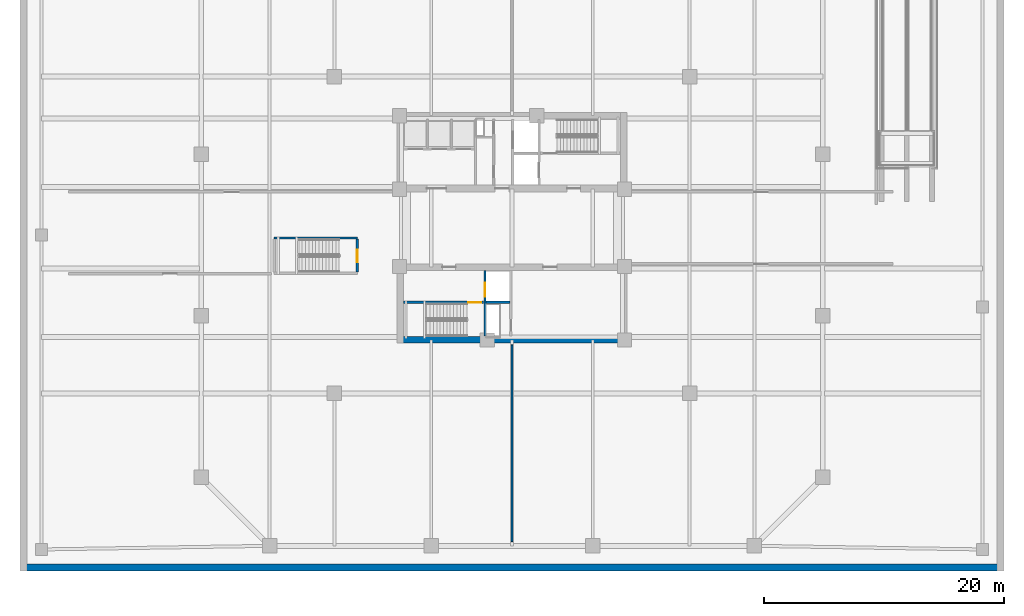
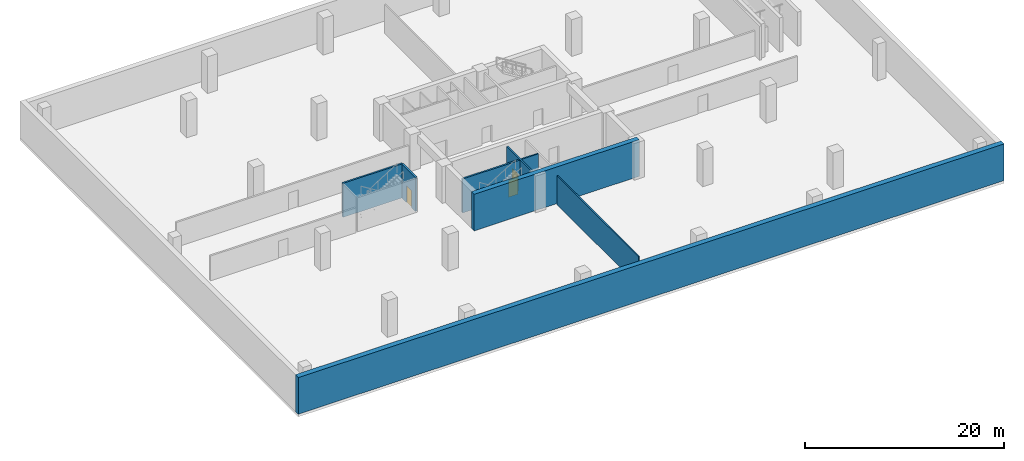
# One storey, part 3 of 8: 8 walls, 3 doors, 3 openings.
"""IFC4 building model written with IfcOpenShell, lengths in metres."""

import ifcopenshell
import ifcopenshell.guid

model = None  # the IFC model being written
_history = None  # IfcOwnerHistory: only IFC2X3 demands one
_inside = {}  # id of a spatial element -> (the spatial element, [elements in it])
_under = {}  # id of a project, library or spatial element -> (it, [spatial elements below it])
_declared = {}  # id of a project -> (the project, [libraries it declares])
_typed = {}  # id of a type object -> (the type object, [elements of that type])
_made_of = {}  # id of a material, layer set ... -> (it, [elements and type objects made of it])


def new_model(schema):
    """Start an empty IFC model of exactly this schema.

    Asked for "IFC4X3", IfcOpenShell would pick the latest addendum, in which some entities
    have other attributes; the version numbers below select the first issue.
    IFC2X3 requires an IfcOwnerHistory on every rooted entity: one is made here for all.
    """
    global model, _history
    if schema == "IFC4X3":
        model = ifcopenshell.file(schema_version=(4, 3, 0, 0))
    else:
        model = ifcopenshell.file(schema=schema)
    _inside.clear()
    _under.clear()
    _declared.clear()
    _typed.clear()
    _made_of.clear()
    _history = None
    if model.schema == "IFC2X3":
        org = make("IfcOrganization", Name="unknown")
        user = make(
            "IfcPersonAndOrganization",
            ThePerson=make("IfcPerson", FamilyName="unknown"),
            TheOrganization=org,
        )
        app = make(
            "IfcApplication",
            ApplicationDeveloper=org,
            Version="unknown",
            ApplicationFullName="unknown",
            ApplicationIdentifier="unknown",
        )
        _history = make(
            "IfcOwnerHistory",
            OwningUser=user,
            OwningApplication=app,
            ChangeAction="ADDED",
            CreationDate=0,
        )
    return model


def make(cls, **values):
    """One entity of the class cls with the attributes given. An attribute that is None is left unset."""
    return model.create_entity(
        cls, **{name: value for name, value in values.items() if value is not None}
    )


def rooted(cls, **values):
    """An entity with a GlobalId (a new one), such as an element, a storey or a relation."""
    return make(cls, GlobalId=ifcopenshell.guid.new(), OwnerHistory=_history, **values)


def si_unit(unit_type, name, prefix=None):
    """IfcSIUnit, for example si_unit("LENGTHUNIT", "METRE", prefix="MILLI")."""
    return make("IfcSIUnit", UnitType=unit_type, Prefix=prefix, Name=name)


def assignment(units):
    """IfcUnitAssignment: the units of a project."""
    return None if units is None else make("IfcUnitAssignment", Units=units)


def point(xyz):
    """IfcCartesianPoint."""
    return None if xyz is None else make("IfcCartesianPoint", Coordinates=xyz)


def direction(xyz):
    """IfcDirection."""
    return None if xyz is None else make("IfcDirection", DirectionRatios=xyz)


def frame(location, z_axis=None, x_axis=None):
    """IfcAxis2Placement3D, a coordinate frame: its origin and axes. An axis left out is left unset."""
    return make(
        "IfcAxis2Placement3D",
        Location=point(location),
        Axis=direction(z_axis),
        RefDirection=direction(x_axis),
    )


def frame_2d(location, x_axis=None):
    """IfcAxis2Placement2D, a coordinate frame in the plane: its origin and x axis."""
    return make(
        "IfcAxis2Placement2D", Location=point(location), RefDirection=direction(x_axis)
    )


def origin():
    """The frame at (0, 0, 0) with its axes left unset."""
    return frame((0.0, 0.0, 0.0))


def place(relative_to, where):
    """IfcLocalPlacement: puts the frame where relative to a parent placement (None: the world)."""
    return make(
        "IfcLocalPlacement", PlacementRelTo=relative_to, RelativePlacement=where
    )


def context(
    kind, dimensions, precision=None, world=None, true_north=None, identifier=None
):
    """IfcGeometricRepresentationContext, for example the 3D "Model" context."""
    return make(
        "IfcGeometricRepresentationContext",
        ContextIdentifier=identifier,
        ContextType=kind,
        CoordinateSpaceDimension=dimensions,
        Precision=precision,
        WorldCoordinateSystem=world,
        TrueNorth=true_north,
    )


def subcontext(parent, identifier, kind, view, scale=None):
    """IfcGeometricRepresentationSubContext, for example "Body" below "Model"."""
    return make(
        "IfcGeometricRepresentationSubContext",
        ContextIdentifier=identifier,
        ContextType=kind,
        ParentContext=parent,
        TargetScale=scale,
        TargetView=view,
    )


def project(units=None, contexts=None):
    """IfcProject with its units and contexts."""
    return rooted(
        "IfcProject",
        Name="project",
        RepresentationContexts=contexts,
        UnitsInContext=assignment(units),
    )


def spatial(cls, under=None, at=None, **own):
    """A site, building, storey or space (cls), placed at a placement, below another one or the project."""
    s = rooted(cls, ObjectPlacement=at, **own)
    if under is not None:
        _under.setdefault(under.id(), (under, []))[1].append(s)
    return s


def profile(cls, at=None, kind="AREA", **sizes):
    """A parametric profile (cls). Its sizes go by their IFC names, for example OverallWidth=200.0."""
    return make(cls, ProfileType=kind, Position=at, **sizes)


def rectangle(**sizes):
    """IfcRectangleProfileDef."""
    return profile("IfcRectangleProfileDef", **sizes)


def extrude(swept, where, along, depth):
    """IfcExtrudedAreaSolid: the profile swept, set in the frame where, extruded along a direction by depth."""
    return make(
        "IfcExtrudedAreaSolid",
        SweptArea=swept,
        Position=where,
        ExtrudedDirection=direction(along),
        Depth=depth,
    )


def shape(context_of_items, identifier, shape_type, items):
    """IfcShapeRepresentation: the items that make up one representation, for example the "Body"."""
    return make(
        "IfcShapeRepresentation",
        ContextOfItems=context_of_items,
        RepresentationIdentifier=identifier,
        RepresentationType=shape_type,
        Items=items,
    )


def material(Name=None, Category=None):
    """IfcMaterial."""
    return make("IfcMaterial", Name=Name, Category=Category)


def layer(
    of_material, thickness, ventilated=None, Name=None, Category=None, Priority=None
):
    """IfcMaterialLayer: one layer of a wall or slab, of a material (None: an air gap)."""
    return make(
        "IfcMaterialLayer",
        Material=of_material,
        LayerThickness=thickness,
        IsVentilated=ventilated,
        Name=Name,
        Category=Category,
        Priority=Priority,
    )


def layer_set(layers, Name=None):
    """IfcMaterialLayerSet."""
    return make("IfcMaterialLayerSet", MaterialLayers=layers, LayerSetName=Name)


def made_of(thing, what):
    """Note that an element or type object is made of a material, layer set ...; save() writes the relation."""
    if what is not None:
        _made_of.setdefault(what.id(), (what, []))[1].append(thing)
    return thing


def type_object(cls, material=None, **own):
    """A type object (cls), such as IfcWallType, which elements share."""
    return made_of(rooted(cls, **own), material)


def element(
    cls,
    number,
    at=None,
    inside=None,
    cuts=None,
    type_object=None,
    material=None,
    context=None,
    identifier="Body",
    shape_type=None,
    held_by="IfcProductDefinitionShape",
    body=None,
    shapes=None,
    **own,
):
    """One element of the class cls, such as IfcWall. Its Tag is "e" and its number.

    at: its placement. inside: the storey or other place that contains it. cuts: it is an
    opening in that element (IfcRelVoidsElement). A single representation is given by context,
    identifier, shape_type and body (its items); several are given by shapes. held_by: the class
    of the entity that holds the representations. save() writes the other relations.
    """
    e = rooted(cls, Tag="e%d" % number, ObjectPlacement=at, **own)
    if body is not None:
        shapes = [shape(context, identifier, shape_type, body)]
    if shapes is not None:
        e.Representation = make(held_by, Representations=shapes)
    if inside is not None:
        _inside.setdefault(inside.id(), (inside, []))[1].append(e)
    if cuts is not None:
        rooted(
            "IfcRelVoidsElement", RelatingBuildingElement=cuts, RelatedOpeningElement=e
        )
    if type_object is not None:
        _typed.setdefault(type_object.id(), (type_object, []))[1].append(e)
    return made_of(e, material)


def fill(opening, filler):
    """IfcRelFillsElement: the door or window that sits in an opening."""
    return rooted(
        "IfcRelFillsElement",
        RelatingOpeningElement=opening,
        RelatedBuildingElement=filler,
    )


def aggregate(whole, parts):
    """IfcRelAggregates: a whole, such as a stair, and the parts it consists of."""
    return rooted("IfcRelAggregates", RelatingObject=whole, RelatedObjects=parts)


def save(model, path):
    """Write the relations noted so far, then the file.

    IfcRelAggregates (storeys below a building ...), IfcRelContainedInSpatialStructure (elements
    in a storey), IfcRelDefinesByType, IfcRelAssociatesMaterial and IfcRelDeclares: one each for
    every whole, place, type object, material and project.
    """
    for whole, parts in _under.values():
        aggregate(whole, parts)
    for where, things in _inside.values():
        rooted(
            "IfcRelContainedInSpatialStructure",
            RelatedElements=things,
            RelatingStructure=where,
        )
    for kind, things in _typed.values():
        rooted("IfcRelDefinesByType", RelatedObjects=things, RelatingType=kind)
    for what, things in _made_of.values():
        rooted("IfcRelAssociatesMaterial", RelatedObjects=things, RelatingMaterial=what)
    for by, libraries in _declared.values():
        rooted("IfcRelDeclares", RelatingContext=by, RelatedDefinitions=libraries)
    model.write(path)


model = new_model("IFC4")

# Units and contexts
model_context = context("Model", 3, precision=1e-05, world=origin(), true_north=direction((0.0, 1.0)))
body_context = subcontext(model_context, "Body", "Model", "MODEL_VIEW")
ifc_project = project(units=[si_unit("LENGTHUNIT", "METRE"), si_unit("AREAUNIT", "SQUARE_METRE"), si_unit("VOLUMEUNIT", "CUBIC_METRE"), si_unit("PLANEANGLEUNIT", "RADIAN"), si_unit("MASSUNIT", "GRAM", prefix="KILO")], contexts=[model_context])

# Site, building, storey
site_placement = place(None, origin())
site = spatial("IfcSite", under=ifc_project, at=site_placement, CompositionType="ELEMENT")
building_placement = place(site_placement, origin())
building = spatial("IfcBuilding", under=site, at=building_placement, Name="Qhalaya Broadcast Tower", CompositionType="ELEMENT")
storey_placement = place(building_placement, frame((0.0, 0.0, -4.5)))
storey = spatial("IfcBuildingStorey", under=building, at=storey_placement, Name="B01", CompositionType="ELEMENT", Elevation=-4.5)

# Walls
ifc_material_1 = material(Name="Concrete C45/55", Category="concrete")
ifc_layer_1 = layer(ifc_material_1, 0.60009765625, Name="Concrete C45/55")
ifc_layer_set_1 = layer_set([ifc_layer_1], Name="Concrete C45/55")
wall_type_1 = type_object("IfcWallType", Name="Basement Perimeter Retaining Wall 600", PredefinedType="USERDEFINED", material=ifc_layer_set_1)
wall_1_placement = place(storey_placement, frame((-41.0, -27.699951171875, 0.0), z_axis=(0.0, 0.0, 1.0), x_axis=(1.0, 0.0, 0.0)))
element("IfcWall", 1, at=wall_1_placement, inside=storey, type_object=wall_type_1, Name="B01 Basement Retaining Wall RW-S", ObjectType="RETAININGWALL", PredefinedType="USERDEFINED", context=body_context, shape_type="SweptSolid", body=[
    extrude(rectangle(XDim=82.0, YDim=0.60009765625, at=frame_2d((41.0, 0.0))), origin(), (0.0, 0.0, 1.0), 4.5),
])
ifc_material_2 = material(Name="Gypsum Acoustic Partition")
ifc_layer_2 = layer(ifc_material_2, 0.14990234375, Name="Gypsum Acoustic Partition")
ifc_layer_set_2 = layer_set([ifc_layer_2], Name="Gypsum Acoustic Partition")
wall_type_2 = type_object("IfcWallType", Name="Corridor & Tenancy Acoustic Partition 150", PredefinedType="PARTITIONING", material=ifc_layer_set_2)
wall_2_placement = place(storey_placement, frame((0.0, -25.5400390625, 0.0), z_axis=(0.0, 0.0, 1.0), x_axis=(0.0, 1.0, 0.0)))
element("IfcWall", 2, at=wall_2_placement, inside=storey, type_object=wall_type_2, Name="B01 Partition Wall W-B01MW", PredefinedType="PARTITIONING", context=body_context, shape_type="SweptSolid", body=[
    extrude(rectangle(XDim=16.380126953125, YDim=0.14990234375, at=frame_2d((8.18994140625, 0.0))), origin(), (0.0, 0.0, 1.0), 3.552978515625),
])

# Wall, opening, door
ifc_material_3 = material(Name="Concrete C50/60", Category="concrete")
ifc_layer_3 = layer(ifc_material_3, 0.199951171875, Name="Concrete C50/60")
ifc_layer_set_3 = layer_set([ifc_layer_3], Name="Concrete C50/60")
wall_type_3 = type_object("IfcWallType", Name="Load-Bearing Stair Shaft Wall 200", PredefinedType="SHEAR", material=ifc_layer_set_3)
wall_3_placement = place(storey_placement, frame((-9.030029296875, -5.60498046875, 0.0), z_axis=(0.0, 0.0, 1.0), x_axis=(1.0, 0.0, 0.0)))
wall_3 = element("IfcWall", 3, at=wall_3_placement, inside=storey, type_object=wall_type_3, Name="B01 Stair Core Shear Wall SCW-ST2", PredefinedType="SHEAR", context=body_context, shape_type="SweptSolid", body=[
    extrude(rectangle(XDim=6.669921875, YDim=0.199951171875, at=frame_2d((3.3349609375, 0.0))), origin(), (0.0, 0.0, 1.0), 4.179931640625),
])
opening_1_placement = place(wall_3_placement, frame((5.39990234375, 0.0, 0.0)))
opening_1 = element("IfcOpeningElement", 4, at=opening_1_placement, cuts=wall_3, Name="Opening D03", PredefinedType="OPENING", context=body_context, shape_type="SweptSolid", body=[
    extrude(rectangle(XDim=1.050048828125, YDim=2.080078125, at=frame_2d((0.52490234375, 1.0400390625))), frame((0.0, 0.112060546875, 0.0), z_axis=(0.0, -1.0, 0.0), x_axis=(1.0, 0.0, 0.0)), (0.0, 0.0, 1.0), 0.223876953125),
])
ifc_material_4 = material(Name="Fire-Rated Steel Door", Category="steel")
door_type_1 = type_object("IfcDoorType", Name="Core Stair Protected Fire Door D03", OperationType="NOTDEFINED", PredefinedType="DOOR", material=ifc_material_4)
door_1_placement = place(opening_1_placement, origin())
door_1 = element("IfcDoor", 5, at=door_1_placement, inside=storey, type_object=door_type_1, Name="B01 Door D-SST2", OperationType="SINGLE_SWING_RIGHT", OverallHeight=2.080078125, OverallWidth=1.050048828125, PredefinedType="DOOR", context=body_context, shape_type="SweptSolid", body=[
    extrude(rectangle(XDim=1.050048828125, YDim=2.080078125, at=frame_2d((0.52490234375, 1.0400390625))), frame((0.0, 0.02490234375, 0.0), z_axis=(0.0, -1.0, 0.0), x_axis=(1.0, 0.0, 0.0)), (0.0, 0.0, 1.0), 0.050048828125),
])
fill(opening_1, door_1)

wall_4_placement = place(storey_placement, frame((-2.25, -8.429931640625, 0.0), z_axis=(0.0, 0.0, 1.0), x_axis=(0.0, 1.0, 0.0)))
wall_4 = element("IfcWall", 6, at=wall_4_placement, inside=storey, type_object=wall_type_3, Name="B01 Stair Core Shear Wall SCW-FF", PredefinedType="SHEAR", context=body_context, shape_type="SweptSolid", body=[
    extrude(rectangle(XDim=5.4599609375, YDim=0.199951171875, at=frame_2d((2.72998046875, 0.0))), origin(), (0.0, 0.0, 1.0), 4.179931640625),
])
opening_2_placement = place(wall_4_placement, frame((3.300048828125, 0.0, 0.0)))
opening_2 = element("IfcOpeningElement", 7, at=opening_2_placement, cuts=wall_4, Name="Opening LD2", PredefinedType="OPENING", context=body_context, shape_type="SweptSolid", body=[
    extrude(rectangle(XDim=1.14990234375, YDim=2.080078125, at=frame_2d((0.574951171875, 1.0400390625))), frame((0.0, 0.112060546875, 0.0), z_axis=(0.0, -1.0, 0.0), x_axis=(1.0, 0.0, 0.0)), (0.0, 0.0, 1.0), 0.223876953125),
])
ifc_material_5 = material(Name="Brushed Stainless Steel Lift Door", Category="steel")
door_type_2 = type_object("IfcDoorType", Name="Firefighting Lift Sliding Landing Door LD2", OperationType="DOUBLE_DOOR_SLIDING", PredefinedType="DOOR", material=ifc_material_5)
door_2_placement = place(opening_2_placement, origin())
door_2 = element("IfcDoor", 8, at=door_2_placement, inside=storey, type_object=door_type_2, Name="B01 Door LD-FF2", OperationType="DOUBLE_DOOR_SLIDING", OverallHeight=2.080078125, OverallWidth=1.14990234375, PredefinedType="DOOR", context=body_context, shape_type="SweptSolid", body=[
    extrude(rectangle(XDim=1.14990234375, YDim=2.080078125, at=frame_2d((0.574951171875, 1.0400390625))), frame((0.0, 0.02490234375, 0.0), z_axis=(0.0, -1.0, 0.0), x_axis=(1.0, 0.0, 0.0)), (0.0, 0.0, 1.0), 0.050048828125),
])
fill(opening_2, door_2)

# Wall
wall_5_placement = place(storey_placement, frame((-19.830078125, -0.25, 0.0), z_axis=(0.0, 0.0, 1.0), x_axis=(1.0, 0.0, 0.0)))
element("IfcWall", 9, at=wall_5_placement, inside=storey, type_object=wall_type_3, Name="B01 Stair Core Shear Wall W-STP1N", PredefinedType="SHEAR", context=body_context, shape_type="SweptSolid", body=[
    extrude(rectangle(XDim=6.9599609375, YDim=0.199951171875, at=frame_2d((3.47998046875, 0.0))), origin(), (0.0, 0.0, 1.0), 4.179931640625),
])

# Wall, opening, door
wall_6_placement = place(storey_placement, frame((-12.89990234375, -0.340087890625, 0.0), z_axis=(0.0, 0.0, 1.0), x_axis=(0.0, -1.0, 0.0)))
wall_6 = element("IfcWall", 10, at=wall_6_placement, inside=storey, type_object=wall_type_3, Name="B01 Stair Core Shear Wall W-STP1E", PredefinedType="SHEAR", context=body_context, shape_type="SweptSolid", body=[
    extrude(rectangle(XDim=2.739990234375, YDim=0.199951171875, at=frame_2d((1.3701171875, 0.0))), origin(), (0.0, 0.0, 1.0), 4.179931640625),
])
opening_3_placement = place(wall_6_placement, frame((0.89501953125, 0.0, 0.0)))
opening_3 = element("IfcOpeningElement", 11, at=opening_3_placement, cuts=wall_6, Name="Opening D03", PredefinedType="OPENING", context=body_context, shape_type="SweptSolid", body=[
    extrude(rectangle(XDim=1.050048828125, YDim=2.080078125, at=frame_2d((0.52490234375, 1.0400390625))), frame((0.0, 0.112060546875, 0.0), z_axis=(0.0, -1.0, 0.0), x_axis=(1.0, 0.0, 0.0)), (0.0, 0.0, 1.0), 0.223876953125),
])
door_3_placement = place(opening_3_placement, origin())
door_3 = element("IfcDoor", 12, at=door_3_placement, inside=storey, type_object=door_type_1, Name="B01 Door D-STP1", OperationType="SINGLE_SWING_LEFT", OverallHeight=2.080078125, OverallWidth=1.050048828125, PredefinedType="DOOR", context=body_context, shape_type="SweptSolid", body=[
    extrude(rectangle(XDim=1.050048828125, YDim=2.080078125, at=frame_2d((0.52490234375, 1.0400390625))), frame((0.0, 0.02490234375, 0.0), z_axis=(0.0, -1.0, 0.0), x_axis=(1.0, 0.0, 0.0)), (0.0, 0.0, 1.0), 0.050048828125),
])
fill(opening_3, door_3)

# Walls
ifc_material_6 = material(Name="Concrete C60/75", Category="concrete")
ifc_layer_4 = layer(ifc_material_6, 0.550048828125, Name="Concrete C60/75")
ifc_layer_set_4 = layer_set([ifc_layer_4], Name="Concrete C60/75")
wall_type_4 = type_object("IfcWallType", Name="Lower Split-Core Shear Wall 550", PredefinedType="SHEAR", material=ifc_layer_set_4)
wall_7_placement = place(storey_placement, frame((-9.60009765625, -8.72509765625, 0.0), z_axis=(0.0, 0.0, 1.0), x_axis=(1.0, 0.0, 0.0)))
element("IfcWall", 13, at=wall_7_placement, inside=storey, type_object=wall_type_4, Name="B01 Split-Core Shear Wall CW-SS", PredefinedType="SHEAR", context=body_context, shape_type="SweptSolid", body=[
    extrude(rectangle(XDim=19.2001953125, YDim=0.550048828125, at=frame_2d((9.60009765625, 0.0))), origin(), (0.0, 0.0, 1.0), 4.5),
])
ifc_layer_5 = layer(ifc_material_2, 0.175048828125, Name="Gypsum Acoustic Partition")
ifc_layer_set_5 = layer_set([ifc_layer_5], Name="Gypsum Acoustic Partition")
wall_type_5 = type_object("IfcWallType", Name="Shaft & Riser Fire Partition 175", PredefinedType="PARTITIONING", material=ifc_layer_set_5)
wall_8_placement = place(storey_placement, frame((-2.14990234375, -5.60009765625, 0.0), z_axis=(0.0, 0.0, 1.0), x_axis=(1.0, 0.0, 0.0)))
element("IfcWall", 14, at=wall_8_placement, inside=storey, type_object=wall_type_5, Name="B01 Partition Wall SCW-FFM", PredefinedType="PARTITIONING", context=body_context, shape_type="SweptSolid", body=[
    extrude(rectangle(XDim=1.969970703125, YDim=0.175048828125, at=frame_2d((0.98486328125, 0.0))), origin(), (0.0, 0.0, 1.0), 4.179931640625),
])

save(model, "model.ifc")
